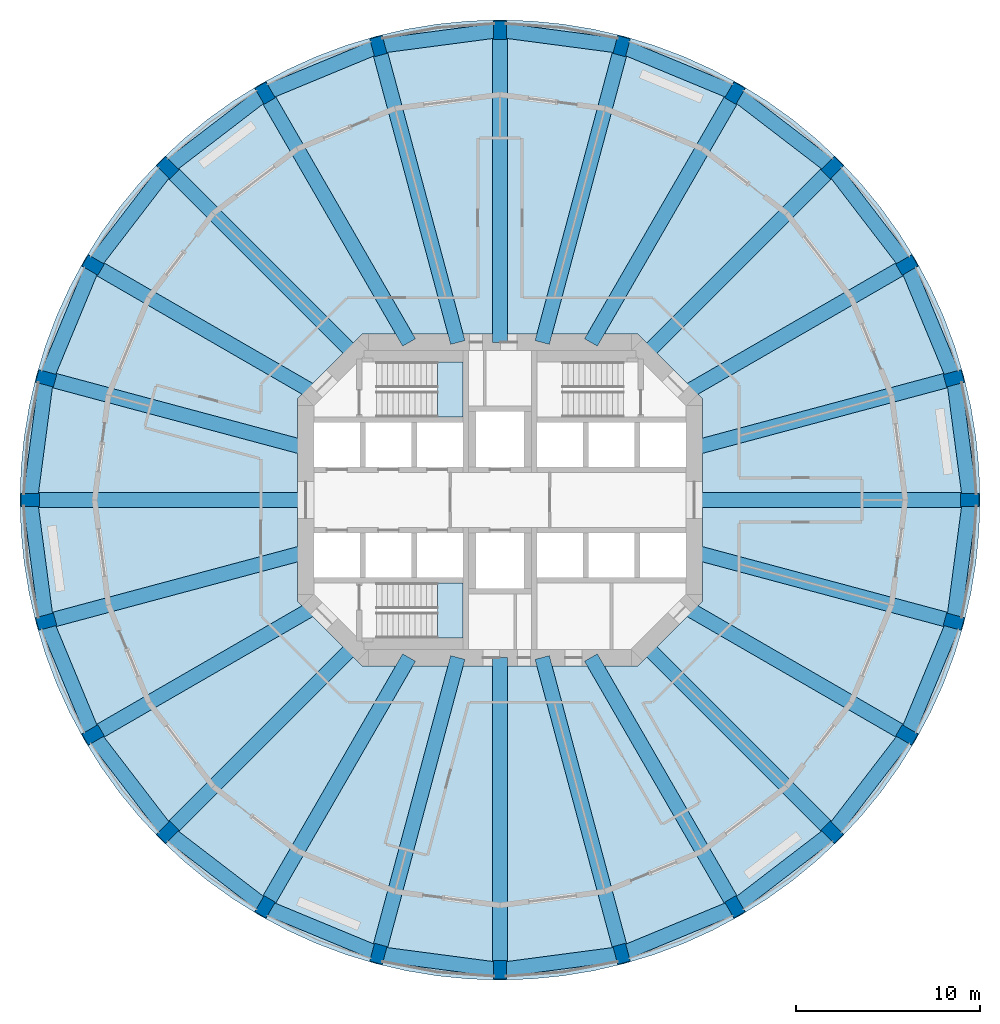
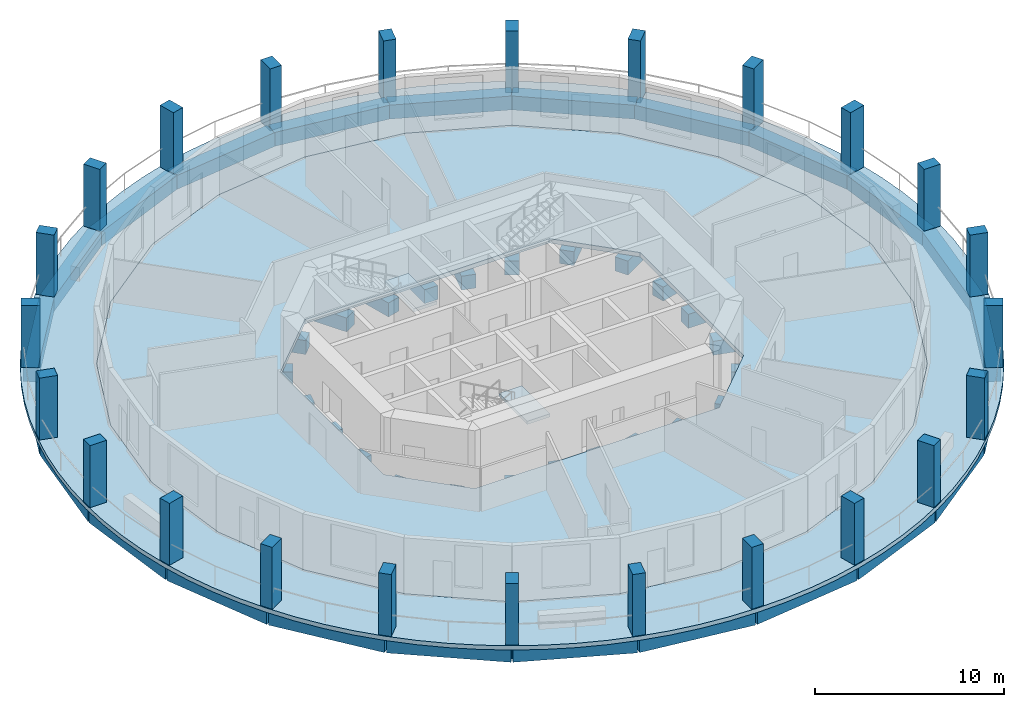
# One storey, part 1 of 8: 48 beams, 24 columns, 4 slabs, 2 elements without a shape of their own.
"""IFC4 building model written with IfcOpenShell, lengths in metres."""

from ifc_helpers import new_model, si_unit, direction, frame, origin, origin_2d, place, context, subcontext, project, spatial, polyline, rectangle, outline, extrude, material, layer, layer_set, material_profile, profile_set, type_object, element, aggregate, save


model = new_model("IFC4")

# Units and contexts
model_context = context("Model", 3, precision=1e-05, world=origin(), true_north=direction((0.0, 1.0)))
body_context = subcontext(model_context, "Body", "Model", "MODEL_VIEW")
ifc_project = project(units=[si_unit("LENGTHUNIT", "METRE"), si_unit("AREAUNIT", "SQUARE_METRE"), si_unit("VOLUMEUNIT", "CUBIC_METRE"), si_unit("PLANEANGLEUNIT", "RADIAN"), si_unit("MASSUNIT", "GRAM", prefix="KILO")], contexts=[model_context])

# Site, building, storey
site_placement = place(None, origin())
site = spatial("IfcSite", under=ifc_project, at=site_placement, CompositionType="ELEMENT")
building_placement = place(site_placement, origin())
building = spatial("IfcBuilding", under=site, at=building_placement, Name="Torre Triforio", CompositionType="ELEMENT")
storey_placement = place(building_placement, frame((0.0, 0.0, 86.60009765625)))
storey = spatial("IfcBuildingStorey", under=building, at=storey_placement, Name="L18", CompositionType="ELEMENT", Elevation=86.60009765625)

# Columns
ifc_material_1 = material(Name="Concrete C60", Category="concrete")
ifc_material_profile_1 = material_profile(ifc_material_1, rectangle(XDim=0.699951171875, YDim=1.0, at=origin_2d()), Name="RC 700x1000")
ifc_profile_set_1 = profile_set([ifc_material_profile_1], Name="Concrete C60")
column_type = type_object("IfcColumnType", Name="Pier RC 700x1000 C60", PredefinedType="COLUMN", material=ifc_profile_set_1)
for number, where, z_axis, x_axis, name in (
    (1, (25.5, 0.0, 0.0), (0.0, 0.0, 1.0), (0.0, 1.0, 0.0), "COL.R.L18.00"),
    (2, (24.631103515625, 6.599853515625, 0.0), (0.0, 0.0, 1.0), (-0.258819045103, 0.965925826289, 0.0), "COL.R.L18.01"),
    (3, (22.083740234375, 12.75, 0.0), (0.0, 0.0, 1.0), (-0.5, 0.866025403784, 0.0), "COL.R.L18.02"),
    (4, (18.03125, 18.03125, 0.0), (0.0, 0.0, 1.0), (-0.707106781187, 0.707106781187, 0.0), "COL.R.L18.03"),
    (5, (12.75, 22.083740234375, 0.0), (0.0, 0.0, 1.0), (-0.866025403784, 0.5, 0.0), "COL.R.L18.04"),
    (6, (6.599853515625, 24.631103515625, 0.0), (0.0, 0.0, 1.0), (-0.965925826289, 0.258819045103, 0.0), "COL.R.L18.05"),
    (7, (0.0, 25.5, 0.0), (0.0, 0.0, 1.0), (-1.0, 0.0, 0.0), "COL.R.L18.06"),
    (8, (-6.599853515625, 24.631103515625, 0.0), (0.0, 0.0, 1.0), (-0.965925826289, -0.258819045103, 0.0), "COL.R.L18.07"),
    (9, (-12.75, 22.083740234375, 0.0), (0.0, 0.0, 1.0), (-0.866025403784, -0.5, 0.0), "COL.R.L18.08"),
    (10, (-18.03125, 18.03125, 0.0), (0.0, 0.0, 1.0), (-0.707106781187, -0.707106781187, 0.0), "COL.R.L18.09"),
    (11, (-22.083740234375, 12.75, 0.0), (0.0, 0.0, 1.0), (-0.5, -0.866025403784, 0.0), "COL.R.L18.10"),
    (12, (-24.631103515625, 6.599853515625, 0.0), (0.0, 0.0, 1.0), (-0.258819045103, -0.965925826289, 0.0), "COL.R.L18.11"),
    (13, (-25.5, 0.0, 0.0), (0.0, 0.0, 1.0), (0.0, -1.0, 0.0), "COL.R.L18.12"),
    (14, (-24.631103515625, -6.599853515625, 0.0), (0.0, 0.0, 1.0), (0.258819045103, -0.965925826289, 0.0), "COL.R.L18.13"),
    (15, (-22.083740234375, -12.75, 0.0), (0.0, 0.0, 1.0), (0.5, -0.866025403784, 0.0), "COL.R.L18.14"),
    (16, (-18.03125, -18.03125, 0.0), (0.0, 0.0, 1.0), (0.707106781187, -0.707106781187, 0.0), "COL.R.L18.15"),
    (17, (-12.75, -22.083740234375, 0.0), (0.0, 0.0, 1.0), (0.866025403784, -0.5, 0.0), "COL.R.L18.16"),
    (18, (-6.599853515625, -24.631103515625, 0.0), (0.0, 0.0, 1.0), (0.965925826289, -0.258819045103, 0.0), "COL.R.L18.17"),
    (19, (0.0, -25.5, 0.0), (0.0, 0.0, 1.0), (1.0, 0.0, 0.0), "COL.R.L18.18"),
    (20, (6.599853515625, -24.631103515625, 0.0), (0.0, 0.0, 1.0), (0.965925826289, 0.258819045103, 0.0), "COL.R.L18.19"),
    (21, (12.75, -22.083740234375, 0.0), (0.0, 0.0, 1.0), (0.866025403784, 0.5, 0.0), "COL.R.L18.20"),
    (22, (18.03125, -18.03125, 0.0), (0.0, 0.0, 1.0), (0.707106781187, 0.707106781187, 0.0), "COL.R.L18.21"),
    (23, (22.083740234375, -12.75, 0.0), (0.0, 0.0, 1.0), (0.5, 0.866025403784, 0.0), "COL.R.L18.22"),
    (24, (24.631103515625, -6.599853515625, 0.0), (0.0, 0.0, 1.0), (0.258819045103, 0.965925826289, 0.0), "COL.R.L18.23"),
):
    element("IfcColumn", number, at=place(storey_placement, frame(where, z_axis=z_axis, x_axis=x_axis)), inside=storey, type_object=column_type, Name=name, PredefinedType="COLUMN", context=body_context, shape_type="SweptSolid", body=[
        extrude(rectangle(XDim=0.699951171875, YDim=1.0, at=origin_2d()), origin(), (0.0, 0.0, 1.0), 4.0),
    ])

# Beams
ifc_material_2 = material(Name="Concrete C50", Category="concrete")
ifc_material_profile_2 = material_profile(ifc_material_2, rectangle(XDim=0.800048828125, YDim=0.89990234375, at=origin_2d()), Name="RC 800x900")
ifc_profile_set_2 = profile_set([ifc_material_profile_2], Name="Concrete C50")
beam_type_1 = type_object("IfcBeamType", Name="Radial beam RC 800x900 C50", PredefinedType="BEAM", material=ifc_profile_set_2)
beam_1_placement = place(storey_placement, frame((10.550048828125, 0.0, -0.72998046875), z_axis=(1.0, 0.0, 0.0), x_axis=(0.0, 1.0, 0.0)))
element("IfcBeam", 25, at=beam_1_placement, inside=storey, type_object=beam_type_1, Name="BM.R.L18.00", PredefinedType="BEAM", context=body_context, shape_type="SweptSolid", body=[
    extrude(rectangle(XDim=0.800048828125, YDim=0.89990234375, at=origin_2d()), origin(), (0.0, 0.0, 1.0), 14.949951171875),
])
beam_2_placement = place(storey_placement, frame((10.550048828125, 2.826904296875, -0.72998046875), z_axis=(0.965926821176, 0.258815332104, 0.0), x_axis=(-0.258815332104, 0.965926821176, 0.0)))
element("IfcBeam", 26, at=beam_2_placement, inside=storey, type_object=beam_type_1, Name="BM.R.L18.01", PredefinedType="BEAM", context=body_context, shape_type="SweptSolid", body=[
    extrude(rectangle(XDim=0.800048828125, YDim=0.89990234375, at=origin_2d()), origin(), (0.0, 0.0, 1.0), 14.577880859375),
])
beam_3_placement = place(storey_placement, frame((10.039794921875, 5.796630859375, -0.72998046875), z_axis=(0.866031815519, 0.499988894385, 0.0), x_axis=(-0.499988894385, 0.866031815519, 0.0)))
element("IfcBeam", 27, at=beam_3_placement, inside=storey, type_object=beam_type_1, Name="BM.R.L18.02", PredefinedType="BEAM", context=body_context, shape_type="SweptSolid", body=[
    extrude(rectangle(XDim=0.800048828125, YDim=0.89990234375, at=origin_2d()), origin(), (0.0, 0.0, 1.0), 13.906982421875),
])
beam_4_placement = place(storey_placement, frame((7.918212890625, 7.918212890625, -0.72998046875), z_axis=(0.707106781187, 0.707106781187, 0.0), x_axis=(-0.707106781187, 0.707106781187, 0.0)))
element("IfcBeam", 28, at=beam_4_placement, inside=storey, type_object=beam_type_1, Name="BM.R.L18.03", PredefinedType="BEAM", context=body_context, shape_type="SweptSolid", body=[
    extrude(rectangle(XDim=0.800048828125, YDim=0.89990234375, at=origin_2d()), origin(), (0.0, 0.0, 1.0), 14.302001953125),
])
beam_5_placement = place(storey_placement, frame((4.936279296875, 8.550048828125, -0.72998046875), z_axis=(0.500001935381, 0.866024286389, 0.0), x_axis=(-0.866024286389, 0.500001935381, 0.0)))
element("IfcBeam", 29, at=beam_5_placement, inside=storey, type_object=beam_type_1, Name="BM.R.L18.04", PredefinedType="BEAM", context=body_context, shape_type="SweptSolid", body=[
    extrude(rectangle(XDim=0.800048828125, YDim=0.89990234375, at=origin_2d()), origin(), (0.0, 0.0, 1.0), 15.62744140625),
])
beam_6_placement = place(storey_placement, frame((2.291015625, 8.550048828125, -0.72998046875), z_axis=(0.25881524955, 0.965926843296, 0.0), x_axis=(-0.965926843296, 0.25881524955, 0.0)))
element("IfcBeam", 30, at=beam_6_placement, inside=storey, type_object=beam_type_1, Name="BM.R.L18.05", PredefinedType="BEAM", context=body_context, shape_type="SweptSolid", body=[
    extrude(rectangle(XDim=0.800048828125, YDim=0.89990234375, at=origin_2d()), origin(), (0.0, 0.0, 1.0), 16.648193359375),
])
beam_7_placement = place(storey_placement, frame((0.0, 8.550048828125, -0.72998046875), z_axis=(0.0, 1.0, 0.0), x_axis=(-1.0, 0.0, 0.0)))
element("IfcBeam", 31, at=beam_7_placement, inside=storey, type_object=beam_type_1, Name="BM.R.L18.06", PredefinedType="BEAM", context=body_context, shape_type="SweptSolid", body=[
    extrude(rectangle(XDim=0.800048828125, YDim=0.89990234375, at=origin_2d()), origin(), (0.0, 0.0, 1.0), 16.949951171875),
])
beam_8_placement = place(storey_placement, frame((-2.291015625, 8.550048828125, -0.72998046875), z_axis=(-0.25881524955, 0.965926843296, 0.0), x_axis=(-0.965926843296, -0.25881524955, 0.0)))
element("IfcBeam", 32, at=beam_8_placement, inside=storey, type_object=beam_type_1, Name="BM.R.L18.07", PredefinedType="BEAM", context=body_context, shape_type="SweptSolid", body=[
    extrude(rectangle(XDim=0.800048828125, YDim=0.89990234375, at=origin_2d()), origin(), (0.0, 0.0, 1.0), 16.648193359375),
])
beam_9_placement = place(storey_placement, frame((-4.936279296875, 8.550048828125, -0.72998046875), z_axis=(-0.500001935381, 0.866024286389, 0.0), x_axis=(-0.866024286389, -0.500001935381, 0.0)))
element("IfcBeam", 33, at=beam_9_placement, inside=storey, type_object=beam_type_1, Name="BM.R.L18.08", PredefinedType="BEAM", context=body_context, shape_type="SweptSolid", body=[
    extrude(rectangle(XDim=0.800048828125, YDim=0.89990234375, at=origin_2d()), origin(), (0.0, 0.0, 1.0), 15.62744140625),
])
beam_10_placement = place(storey_placement, frame((-7.918212890625, 7.918212890625, -0.72998046875), z_axis=(-0.707106781187, 0.707106781187, 0.0), x_axis=(-0.707106781187, -0.707106781187, 0.0)))
element("IfcBeam", 34, at=beam_10_placement, inside=storey, type_object=beam_type_1, Name="BM.R.L18.09", PredefinedType="BEAM", context=body_context, shape_type="SweptSolid", body=[
    extrude(rectangle(XDim=0.800048828125, YDim=0.89990234375, at=origin_2d()), origin(), (0.0, 0.0, 1.0), 14.302001953125),
])
beam_11_placement = place(storey_placement, frame((-10.039794921875, 5.796630859375, -0.72998046875), z_axis=(-0.866031815519, 0.499988894385, 0.0), x_axis=(-0.499988894385, -0.866031815519, 0.0)))
element("IfcBeam", 35, at=beam_11_placement, inside=storey, type_object=beam_type_1, Name="BM.R.L18.10", PredefinedType="BEAM", context=body_context, shape_type="SweptSolid", body=[
    extrude(rectangle(XDim=0.800048828125, YDim=0.89990234375, at=origin_2d()), origin(), (0.0, 0.0, 1.0), 13.906982421875),
])
beam_12_placement = place(storey_placement, frame((-10.550048828125, 2.826904296875, -0.72998046875), z_axis=(-0.965926821176, 0.258815332104, 0.0), x_axis=(-0.258815332104, -0.965926821176, 0.0)))
element("IfcBeam", 36, at=beam_12_placement, inside=storey, type_object=beam_type_1, Name="BM.R.L18.11", PredefinedType="BEAM", context=body_context, shape_type="SweptSolid", body=[
    extrude(rectangle(XDim=0.800048828125, YDim=0.89990234375, at=origin_2d()), origin(), (0.0, 0.0, 1.0), 14.577880859375),
])
beam_13_placement = place(storey_placement, frame((-10.550048828125, 0.0, -0.72998046875), z_axis=(-1.0, 0.0, 0.0), x_axis=(0.0, -1.0, 0.0)))
element("IfcBeam", 37, at=beam_13_placement, inside=storey, type_object=beam_type_1, Name="BM.R.L18.12", PredefinedType="BEAM", context=body_context, shape_type="SweptSolid", body=[
    extrude(rectangle(XDim=0.800048828125, YDim=0.89990234375, at=origin_2d()), origin(), (0.0, 0.0, 1.0), 14.949951171875),
])
beam_14_placement = place(storey_placement, frame((-10.550048828125, -2.826904296875, -0.72998046875), z_axis=(-0.965926821176, -0.258815332104, 0.0), x_axis=(0.258815332104, -0.965926821176, 0.0)))
element("IfcBeam", 38, at=beam_14_placement, inside=storey, type_object=beam_type_1, Name="BM.R.L18.13", PredefinedType="BEAM", context=body_context, shape_type="SweptSolid", body=[
    extrude(rectangle(XDim=0.800048828125, YDim=0.89990234375, at=origin_2d()), origin(), (0.0, 0.0, 1.0), 14.577880859375),
])
beam_15_placement = place(storey_placement, frame((-10.039794921875, -5.796630859375, -0.72998046875), z_axis=(-0.866031815519, -0.499988894385, 0.0), x_axis=(0.499988894385, -0.866031815519, 0.0)))
element("IfcBeam", 39, at=beam_15_placement, inside=storey, type_object=beam_type_1, Name="BM.R.L18.14", PredefinedType="BEAM", context=body_context, shape_type="SweptSolid", body=[
    extrude(rectangle(XDim=0.800048828125, YDim=0.89990234375, at=origin_2d()), origin(), (0.0, 0.0, 1.0), 13.906982421875),
])
beam_16_placement = place(storey_placement, frame((-7.918212890625, -7.918212890625, -0.72998046875), z_axis=(-0.707106781187, -0.707106781187, 0.0), x_axis=(0.707106781187, -0.707106781187, 0.0)))
element("IfcBeam", 40, at=beam_16_placement, inside=storey, type_object=beam_type_1, Name="BM.R.L18.15", PredefinedType="BEAM", context=body_context, shape_type="SweptSolid", body=[
    extrude(rectangle(XDim=0.800048828125, YDim=0.89990234375, at=origin_2d()), origin(), (0.0, 0.0, 1.0), 14.302001953125),
])
beam_17_placement = place(storey_placement, frame((-4.936279296875, -8.550048828125, -0.72998046875), z_axis=(-0.500001935381, -0.866024286389, 0.0), x_axis=(0.866024286389, -0.500001935381, 0.0)))
element("IfcBeam", 41, at=beam_17_placement, inside=storey, type_object=beam_type_1, Name="BM.R.L18.16", PredefinedType="BEAM", context=body_context, shape_type="SweptSolid", body=[
    extrude(rectangle(XDim=0.800048828125, YDim=0.89990234375, at=origin_2d()), origin(), (0.0, 0.0, 1.0), 15.62744140625),
])
beam_18_placement = place(storey_placement, frame((-2.291015625, -8.550048828125, -0.72998046875), z_axis=(-0.25881524955, -0.965926843296, 0.0), x_axis=(0.965926843296, -0.25881524955, 0.0)))
element("IfcBeam", 42, at=beam_18_placement, inside=storey, type_object=beam_type_1, Name="BM.R.L18.17", PredefinedType="BEAM", context=body_context, shape_type="SweptSolid", body=[
    extrude(rectangle(XDim=0.800048828125, YDim=0.89990234375, at=origin_2d()), origin(), (0.0, 0.0, 1.0), 16.648193359375),
])
beam_19_placement = place(storey_placement, frame((0.0, -8.550048828125, -0.72998046875), z_axis=(0.0, -1.0, 0.0), x_axis=(1.0, 0.0, 0.0)))
element("IfcBeam", 43, at=beam_19_placement, inside=storey, type_object=beam_type_1, Name="BM.R.L18.18", PredefinedType="BEAM", context=body_context, shape_type="SweptSolid", body=[
    extrude(rectangle(XDim=0.800048828125, YDim=0.89990234375, at=origin_2d()), origin(), (0.0, 0.0, 1.0), 16.949951171875),
])
beam_20_placement = place(storey_placement, frame((2.291015625, -8.550048828125, -0.72998046875), z_axis=(0.25881524955, -0.965926843296, 0.0), x_axis=(0.965926843296, 0.25881524955, 0.0)))
element("IfcBeam", 44, at=beam_20_placement, inside=storey, type_object=beam_type_1, Name="BM.R.L18.19", PredefinedType="BEAM", context=body_context, shape_type="SweptSolid", body=[
    extrude(rectangle(XDim=0.800048828125, YDim=0.89990234375, at=origin_2d()), origin(), (0.0, 0.0, 1.0), 16.648193359375),
])
beam_21_placement = place(storey_placement, frame((4.936279296875, -8.550048828125, -0.72998046875), z_axis=(0.500001935381, -0.866024286389, 0.0), x_axis=(0.866024286389, 0.500001935381, 0.0)))
element("IfcBeam", 45, at=beam_21_placement, inside=storey, type_object=beam_type_1, Name="BM.R.L18.20", PredefinedType="BEAM", context=body_context, shape_type="SweptSolid", body=[
    extrude(rectangle(XDim=0.800048828125, YDim=0.89990234375, at=origin_2d()), origin(), (0.0, 0.0, 1.0), 15.62744140625),
])
beam_22_placement = place(storey_placement, frame((7.918212890625, -7.918212890625, -0.72998046875), z_axis=(0.707106781187, -0.707106781187, 0.0), x_axis=(0.707106781187, 0.707106781187, 0.0)))
element("IfcBeam", 46, at=beam_22_placement, inside=storey, type_object=beam_type_1, Name="BM.R.L18.21", PredefinedType="BEAM", context=body_context, shape_type="SweptSolid", body=[
    extrude(rectangle(XDim=0.800048828125, YDim=0.89990234375, at=origin_2d()), origin(), (0.0, 0.0, 1.0), 14.302001953125),
])
beam_23_placement = place(storey_placement, frame((10.039794921875, -5.796630859375, -0.72998046875), z_axis=(0.866031815519, -0.499988894385, 0.0), x_axis=(0.499988894385, 0.866031815519, 0.0)))
element("IfcBeam", 47, at=beam_23_placement, inside=storey, type_object=beam_type_1, Name="BM.R.L18.22", PredefinedType="BEAM", context=body_context, shape_type="SweptSolid", body=[
    extrude(rectangle(XDim=0.800048828125, YDim=0.89990234375, at=origin_2d()), origin(), (0.0, 0.0, 1.0), 13.906982421875),
])
beam_24_placement = place(storey_placement, frame((10.550048828125, -2.826904296875, -0.72998046875), z_axis=(0.965926821176, -0.258815332104, 0.0), x_axis=(0.258815332104, 0.965926821176, 0.0)))
element("IfcBeam", 48, at=beam_24_placement, inside=storey, type_object=beam_type_1, Name="BM.R.L18.23", PredefinedType="BEAM", context=body_context, shape_type="SweptSolid", body=[
    extrude(rectangle(XDim=0.800048828125, YDim=0.89990234375, at=origin_2d()), origin(), (0.0, 0.0, 1.0), 14.577880859375),
])
ifc_material_profile_3 = material_profile(ifc_material_2, rectangle(XDim=0.800048828125, YDim=0.89990234375, at=origin_2d()), Name="RC 800x900")
ifc_profile_set_3 = profile_set([ifc_material_profile_3], Name="Concrete C50")
beam_type_2 = type_object("IfcBeamType", Name="Spandrel beam RC 800x900 C50", PredefinedType="SPANDREL", material=ifc_profile_set_3)
for number, where, z_axis, x_axis, name in (
    (49, (25.5, 0.0, -0.72998046875), (-0.130527563319, 0.991444680864, 0.0), (-0.991444680864, -0.130527563319, 0.0), "BM.S.L18.00"),
    (50, (24.631103515625, 6.599853515625, -0.72998046875), (-0.382669224891, 0.923885417312, 0.0), (-0.923885417312, -0.382669224891, 0.0), "BM.S.L18.01"),
):
    element("IfcBeam", number, at=place(storey_placement, frame(where, z_axis=z_axis, x_axis=x_axis)), inside=storey, type_object=beam_type_2, Name=name, PredefinedType="SPANDREL", context=body_context, shape_type="SweptSolid", body=[
        extrude(rectangle(XDim=0.800048828125, YDim=0.89990234375, at=origin_2d()), origin(), (0.0, 0.0, 1.0), 6.65673828125),
    ])
for number, where, z_axis, x_axis, name in (
    (51, (22.083740234375, 12.75, -0.72998046875), (-0.608765643954, 0.793350106032, 0.0), (-0.793350106032, -0.608765643954, 0.0), "BM.S.L18.02"),
    (52, (18.03125, 18.03125, -0.72998046875), (-0.793350106032, 0.608765643954, 0.0), (-0.608765643954, -0.793350106032, 0.0), "BM.S.L18.03"),
):
    element("IfcBeam", number, at=place(storey_placement, frame(where, z_axis=z_axis, x_axis=x_axis)), inside=storey, type_object=beam_type_2, Name=name, PredefinedType="SPANDREL", context=body_context, shape_type="SweptSolid", body=[
        extrude(rectangle(XDim=0.800048828125, YDim=0.89990234375, at=origin_2d()), origin(), (0.0, 0.0, 1.0), 6.656982421875),
    ])
for number, where, z_axis, x_axis, name in (
    (53, (12.75, 22.083740234375, -0.72998046875), (-0.923885417312, 0.382669224891, 0.0), (-0.382669224891, -0.923885417312, 0.0), "BM.S.L18.04"),
    (54, (6.599853515625, 24.631103515625, -0.72998046875), (-0.991444680864, 0.130527563319, 0.0), (-0.130527563319, -0.991444680864, 0.0), "BM.S.L18.05"),
    (55, (0.0, 25.5, -0.72998046875), (-0.991444680864, -0.130527563319, 0.0), (0.130527563319, -0.991444680864, 0.0), "BM.S.L18.06"),
    (56, (-6.599853515625, 24.631103515625, -0.72998046875), (-0.923885417312, -0.382669224891, 0.0), (0.382669224891, -0.923885417312, 0.0), "BM.S.L18.07"),
):
    element("IfcBeam", number, at=place(storey_placement, frame(where, z_axis=z_axis, x_axis=x_axis)), inside=storey, type_object=beam_type_2, Name=name, PredefinedType="SPANDREL", context=body_context, shape_type="SweptSolid", body=[
        extrude(rectangle(XDim=0.800048828125, YDim=0.89990234375, at=origin_2d()), origin(), (0.0, 0.0, 1.0), 6.65673828125),
    ])
for number, where, z_axis, x_axis, name in (
    (57, (-12.75, 22.083740234375, -0.72998046875), (-0.793350106032, -0.608765643954, 0.0), (0.608765643954, -0.793350106032, 0.0), "BM.S.L18.08"),
    (58, (-18.03125, 18.03125, -0.72998046875), (-0.608765643954, -0.793350106032, 0.0), (0.793350106032, -0.608765643954, 0.0), "BM.S.L18.09"),
):
    element("IfcBeam", number, at=place(storey_placement, frame(where, z_axis=z_axis, x_axis=x_axis)), inside=storey, type_object=beam_type_2, Name=name, PredefinedType="SPANDREL", context=body_context, shape_type="SweptSolid", body=[
        extrude(rectangle(XDim=0.800048828125, YDim=0.89990234375, at=origin_2d()), origin(), (0.0, 0.0, 1.0), 6.656982421875),
    ])
for number, where, z_axis, x_axis, name in (
    (59, (-22.083740234375, 12.75, -0.72998046875), (-0.382669224891, -0.923885417312, 0.0), (0.923885417312, -0.382669224891, 0.0), "BM.S.L18.10"),
    (60, (-24.631103515625, 6.599853515625, -0.72998046875), (-0.130527563319, -0.991444680864, 0.0), (0.991444680864, -0.130527563319, 0.0), "BM.S.L18.11"),
    (61, (-25.5, 0.0, -0.72998046875), (0.130527563319, -0.991444680864, 0.0), (0.991444680864, 0.130527563319, 0.0), "BM.S.L18.12"),
    (62, (-24.631103515625, -6.599853515625, -0.72998046875), (0.382669224891, -0.923885417312, 0.0), (0.923885417312, 0.382669224891, 0.0), "BM.S.L18.13"),
):
    element("IfcBeam", number, at=place(storey_placement, frame(where, z_axis=z_axis, x_axis=x_axis)), inside=storey, type_object=beam_type_2, Name=name, PredefinedType="SPANDREL", context=body_context, shape_type="SweptSolid", body=[
        extrude(rectangle(XDim=0.800048828125, YDim=0.89990234375, at=origin_2d()), origin(), (0.0, 0.0, 1.0), 6.65673828125),
    ])
for number, where, z_axis, x_axis, name in (
    (63, (-22.083740234375, -12.75, -0.72998046875), (0.608765643954, -0.793350106032, 0.0), (0.793350106032, 0.608765643954, 0.0), "BM.S.L18.14"),
    (64, (-18.03125, -18.03125, -0.72998046875), (0.793350106032, -0.608765643954, 0.0), (0.608765643954, 0.793350106032, 0.0), "BM.S.L18.15"),
):
    element("IfcBeam", number, at=place(storey_placement, frame(where, z_axis=z_axis, x_axis=x_axis)), inside=storey, type_object=beam_type_2, Name=name, PredefinedType="SPANDREL", context=body_context, shape_type="SweptSolid", body=[
        extrude(rectangle(XDim=0.800048828125, YDim=0.89990234375, at=origin_2d()), origin(), (0.0, 0.0, 1.0), 6.656982421875),
    ])
for number, where, z_axis, x_axis, name in (
    (65, (-12.75, -22.083740234375, -0.72998046875), (0.923885417312, -0.382669224891, 0.0), (0.382669224891, 0.923885417312, 0.0), "BM.S.L18.16"),
    (66, (-6.599853515625, -24.631103515625, -0.72998046875), (0.991444680864, -0.130527563319, 0.0), (0.130527563319, 0.991444680864, 0.0), "BM.S.L18.17"),
    (67, (0.0, -25.5, -0.72998046875), (0.991444680864, 0.130527563319, 0.0), (-0.130527563319, 0.991444680864, 0.0), "BM.S.L18.18"),
    (68, (6.599853515625, -24.631103515625, -0.72998046875), (0.923885417312, 0.382669224891, 0.0), (-0.382669224891, 0.923885417312, 0.0), "BM.S.L18.19"),
):
    element("IfcBeam", number, at=place(storey_placement, frame(where, z_axis=z_axis, x_axis=x_axis)), inside=storey, type_object=beam_type_2, Name=name, PredefinedType="SPANDREL", context=body_context, shape_type="SweptSolid", body=[
        extrude(rectangle(XDim=0.800048828125, YDim=0.89990234375, at=origin_2d()), origin(), (0.0, 0.0, 1.0), 6.65673828125),
    ])
for number, where, z_axis, x_axis, name in (
    (69, (12.75, -22.083740234375, -0.72998046875), (0.793350106032, 0.608765643954, 0.0), (-0.608765643954, 0.793350106032, 0.0), "BM.S.L18.20"),
    (70, (18.03125, -18.03125, -0.72998046875), (0.608765643954, 0.793350106032, 0.0), (-0.793350106032, 0.608765643954, 0.0), "BM.S.L18.21"),
):
    element("IfcBeam", number, at=place(storey_placement, frame(where, z_axis=z_axis, x_axis=x_axis)), inside=storey, type_object=beam_type_2, Name=name, PredefinedType="SPANDREL", context=body_context, shape_type="SweptSolid", body=[
        extrude(rectangle(XDim=0.800048828125, YDim=0.89990234375, at=origin_2d()), origin(), (0.0, 0.0, 1.0), 6.656982421875),
    ])
for number, where, z_axis, x_axis, name in (
    (71, (22.083740234375, -12.75, -0.72998046875), (0.382669224891, 0.923885417312, 0.0), (-0.923885417312, 0.382669224891, 0.0), "BM.S.L18.22"),
    (72, (24.631103515625, -6.599853515625, -0.72998046875), (0.130527563319, 0.991444680864, 0.0), (-0.991444680864, 0.130527563319, 0.0), "BM.S.L18.23"),
):
    element("IfcBeam", number, at=place(storey_placement, frame(where, z_axis=z_axis, x_axis=x_axis)), inside=storey, type_object=beam_type_2, Name=name, PredefinedType="SPANDREL", context=body_context, shape_type="SweptSolid", body=[
        extrude(rectangle(XDim=0.800048828125, YDim=0.89990234375, at=origin_2d()), origin(), (0.0, 0.0, 1.0), 6.65673828125),
    ])

# Slabs
ifc_layer_1 = layer(ifc_material_2, 0.280029296875)
ifc_layer_set_1 = layer_set([ifc_layer_1], Name="Concrete C50")
slab_type_1 = type_object("IfcSlabType", Name="Floor slab 280 C50", PredefinedType="FLOOR", material=ifc_layer_set_1)
slab_1_placement = place(storey_placement, frame((0.0, 0.0, -0.280029296875)))
element("IfcSlab", 73, at=slab_1_placement, inside=storey, type_object=slab_type_1, Name="SL.L18", PredefinedType="FLOOR", context=body_context, shape_type="SweptSolid", body=[
    extrude(outline(polyline([(19.052490234375, -11.0), (21.25048828125, -5.694091796875), (22.0, 0.0), (21.25048828125, 5.694091796875), (19.052490234375, 11.0), (15.556396484375, 15.556396484375), (11.0, 19.052490234375), (5.694091796875, 21.25048828125), (0.0, 22.0), (-5.694091796875, 21.25048828125), (-11.0, 19.052490234375), (-15.556396484375, 15.556396484375), (-19.052490234375, 11.0), (-21.25048828125, 5.694091796875), (-22.0, 0.0), (-21.25048828125, -5.694091796875), (-19.052490234375, -11.0), (-15.556396484375, -15.556396484375), (-11.0, -19.052490234375), (-5.694091796875, -21.25048828125), (0.0, -22.0), (5.694091796875, -21.25048828125), (11.0, -19.052490234375), (15.556396484375, -15.556396484375), (19.052490234375, -11.0)]), holes=[polyline([(11.0, 5.472900390625), (11.0, -5.472900390625), (7.472900390625, -9.0), (-7.472900390625, -9.0), (-11.0, -5.472900390625), (-11.0, 5.472900390625), (-7.472900390625, 9.0), (7.472900390625, 9.0), (11.0, 5.472900390625)])]), origin(), (0.0, 0.0, 1.0), 0.280029296875),
])
ifc_layer_2 = layer(ifc_material_2, 0.280029296875)
ifc_layer_set_2 = layer_set([ifc_layer_2], Name="Concrete C50")
slab_type_2 = type_object("IfcSlabType", Name="Loggia slab 280 C50", PredefinedType="FLOOR", material=ifc_layer_set_2)
slab_2_placement = place(storey_placement, frame((0.0, 0.0, -0.280029296875)))
element("IfcSlab", 74, at=slab_2_placement, inside=storey, type_object=slab_type_2, Name="SL.L18.LG", PredefinedType="FLOOR", context=body_context, shape_type="SweptSolid", body=[
    extrude(outline(polyline([(25.994140625, -1.703857421875), (26.050048828125, 0.0), (25.994140625, 1.703857421875), (25.8271484375, 3.400146484375), (25.549560546875, 5.08203125), (25.162353515625, 6.7421875), (24.66748046875, 8.37353515625), (24.067138671875, 9.968994140625), (23.363525390625, 11.521728515625), (22.56005859375, 13.02490234375), (21.65966796875, 14.47265625), (20.666748046875, 15.858154296875), (19.58544921875, 17.176025390625), (18.420166015625, 18.420166015625), (17.176025390625, 19.58544921875), (15.858154296875, 20.666748046875), (14.47265625, 21.65966796875), (13.02490234375, 22.56005859375), (11.521728515625, 23.363525390625), (9.968994140625, 24.067138671875), (8.37353515625, 24.66748046875), (6.7421875, 25.162353515625), (5.08203125, 25.549560546875), (3.400146484375, 25.8271484375), (1.703857421875, 25.994140625), (0.0, 26.050048828125), (-1.703857421875, 25.994140625), (-3.400146484375, 25.8271484375), (-5.08203125, 25.549560546875), (-6.7421875, 25.162353515625), (-8.37353515625, 24.66748046875), (-9.968994140625, 24.067138671875), (-11.521728515625, 23.363525390625), (-13.02490234375, 22.56005859375), (-14.47265625, 21.65966796875), (-15.858154296875, 20.666748046875), (-17.176025390625, 19.58544921875), (-18.420166015625, 18.420166015625), (-19.58544921875, 17.176025390625), (-20.666748046875, 15.858154296875), (-21.65966796875, 14.47265625), (-22.56005859375, 13.02490234375), (-23.363525390625, 11.521728515625), (-24.067138671875, 9.968994140625), (-24.66748046875, 8.37353515625), (-25.162353515625, 6.7421875), (-25.549560546875, 5.08203125), (-25.8271484375, 3.400146484375), (-25.994140625, 1.703857421875), (-26.050048828125, 0.0), (-25.994140625, -1.703857421875), (-25.8271484375, -3.400146484375), (-25.549560546875, -5.08203125), (-25.162353515625, -6.7421875), (-24.66748046875, -8.37353515625), (-24.067138671875, -9.968994140625), (-23.363525390625, -11.521728515625), (-22.56005859375, -13.02490234375), (-21.65966796875, -14.47265625), (-20.666748046875, -15.858154296875), (-19.58544921875, -17.176025390625), (-18.420166015625, -18.420166015625), (-17.176025390625, -19.58544921875), (-15.858154296875, -20.666748046875), (-14.47265625, -21.65966796875), (-13.02490234375, -22.56005859375), (-11.521728515625, -23.363525390625), (-9.968994140625, -24.067138671875), (-8.37353515625, -24.66748046875), (-6.7421875, -25.162353515625), (-5.08203125, -25.549560546875), (-3.400146484375, -25.8271484375), (-1.703857421875, -25.994140625), (0.0, -26.050048828125), (1.703857421875, -25.994140625), (3.400146484375, -25.8271484375), (5.08203125, -25.549560546875), (6.7421875, -25.162353515625), (8.37353515625, -24.66748046875), (9.968994140625, -24.067138671875), (11.521728515625, -23.363525390625), (13.02490234375, -22.56005859375), (14.47265625, -21.65966796875), (15.858154296875, -20.666748046875), (17.176025390625, -19.58544921875), (18.420166015625, -18.420166015625), (19.58544921875, -17.176025390625), (20.666748046875, -15.858154296875), (21.65966796875, -14.47265625), (22.56005859375, -13.02490234375), (23.363525390625, -11.521728515625), (24.067138671875, -9.968994140625), (24.66748046875, -8.37353515625), (25.162353515625, -6.7421875), (25.549560546875, -5.08203125), (25.8271484375, -3.400146484375), (25.994140625, -1.703857421875)]), holes=[polyline([(21.25048828125, 5.694091796875), (22.0, 0.0), (21.25048828125, -5.694091796875), (19.052490234375, -11.0), (15.556396484375, -15.556396484375), (11.0, -19.052490234375), (5.694091796875, -21.25048828125), (0.0, -22.0), (-5.694091796875, -21.25048828125), (-11.0, -19.052490234375), (-15.556396484375, -15.556396484375), (-19.052490234375, -11.0), (-21.25048828125, -5.694091796875), (-22.0, 0.0), (-21.25048828125, 5.694091796875), (-19.052490234375, 11.0), (-15.556396484375, 15.556396484375), (-11.0, 19.052490234375), (-5.694091796875, 21.25048828125), (0.0, 22.0), (5.694091796875, 21.25048828125), (11.0, 19.052490234375), (15.556396484375, 15.556396484375), (19.052490234375, 11.0), (21.25048828125, 5.694091796875)])]), origin(), (0.0, 0.0, 1.0), 0.280029296875),
])

# Stair, slab
ifc_material_3 = material(Name="Concrete C40", Category="concrete")
stair_type = type_object("IfcStairType", Name="STAIR HALF-TURN", PredefinedType="HALF_TURN_STAIR", material=ifc_material_3)
stair_1_placement = place(storey_placement, origin())
stair_1 = element("IfcStair", 75, at=stair_1_placement, inside=storey, type_object=stair_type, Name="Exit stair 1", PredefinedType="HALF_TURN_STAIR")
ifc_layer_3 = layer(ifc_material_3, 0.199951171875)
ifc_layer_set_3 = layer_set([ifc_layer_3], Name="Concrete C40")
slab_type_3 = type_object("IfcSlabType", Name="STAIR LANDING 200", PredefinedType="LANDING", material=ifc_layer_set_3)
slab_3_placement = place(storey_placement, frame((0.0, 0.0, 1.7998046875)))
slab_3 = element("IfcSlab", 76, at=slab_3_placement, type_object=slab_type_3, Name="ST1 landing 1", PredefinedType="LANDING", context=body_context, shape_type="SweptSolid", body=[
    extrude(outline(polyline([(-2.0, 4.5), (-2.0, 7.5), (-3.39990234375, 7.5), (-3.39990234375, 4.5), (-2.0, 4.5)])), origin(), (0.0, 0.0, 1.0), 0.2001953125),
])
aggregate(stair_1, [slab_3])

stair_2_placement = place(storey_placement, origin())
stair_2 = element("IfcStair", 77, at=stair_2_placement, inside=storey, type_object=stair_type, Name="Exit stair 3", PredefinedType="HALF_TURN_STAIR")
slab_4_placement = place(storey_placement, frame((0.0, 0.0, 1.7998046875)))
slab_4 = element("IfcSlab", 78, at=slab_4_placement, type_object=slab_type_3, Name="ST3 landing 1", PredefinedType="LANDING", context=body_context, shape_type="SweptSolid", body=[
    extrude(outline(polyline([(-2.0, -7.5), (-2.0, -4.5), (-3.39990234375, -4.5), (-3.39990234375, -7.5), (-2.0, -7.5)])), origin(), (0.0, 0.0, 1.0), 0.2001953125),
])
aggregate(stair_2, [slab_4])

save(model, "model.ifc")
